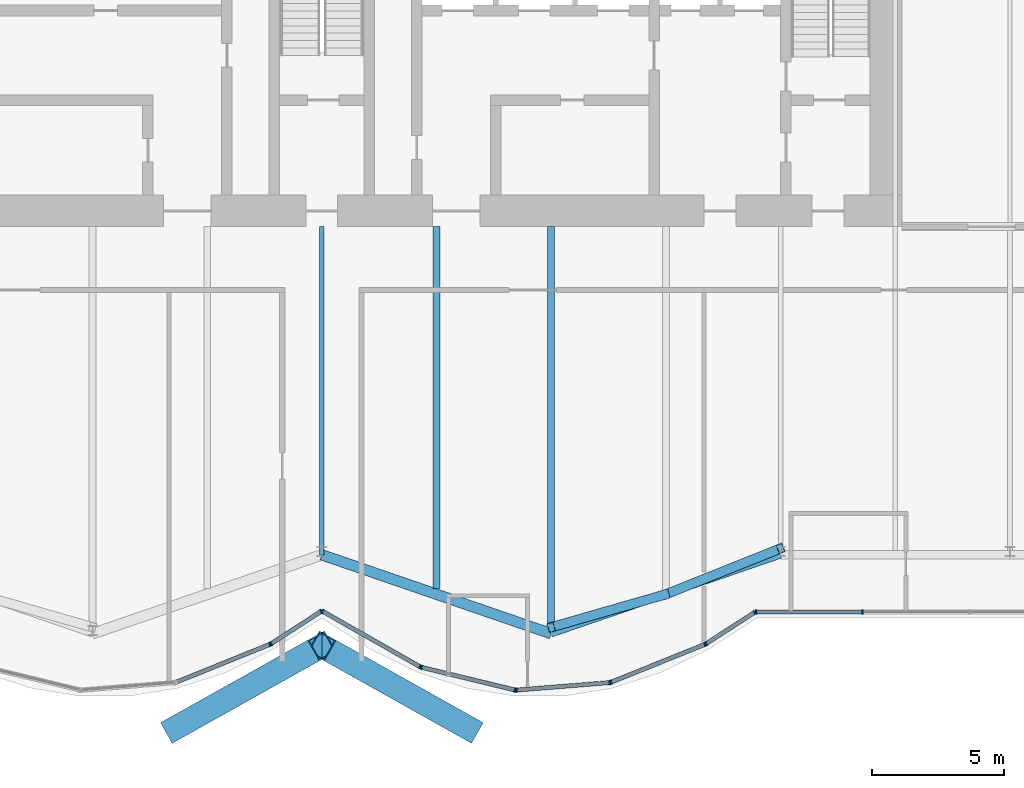
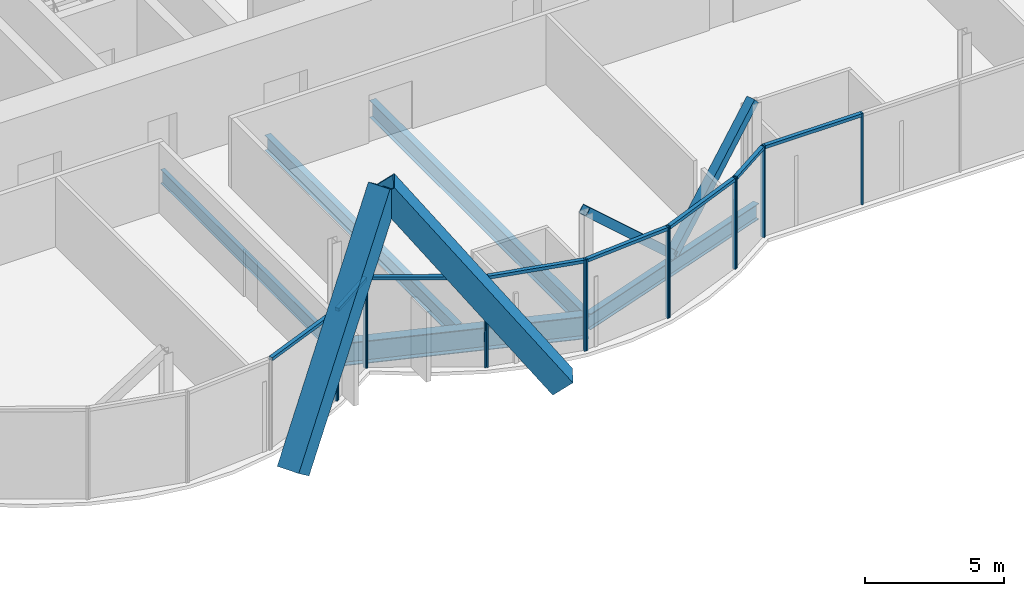
# One storey, part 8 of 19: 27 members, 5 beams, 3 elements without a shape of their own.
"""IFC4 building model written with IfcOpenShell, lengths in metres."""

from ifc_helpers import new_model, si_unit, direction, frame, origin, origin_2d, place, context, subcontext, project, spatial, rectangle, hollow_rectangle, i_section, extrude, material, material_profile, profile_set, type_object, element, aggregate, save


model = new_model("IFC4")

# Units and contexts
model_context = context("Model", 3, precision=1e-05, world=origin(), true_north=direction((0.0, 1.0)))
body_context = subcontext(model_context, "Body", "Model", "MODEL_VIEW")
ifc_project = project(units=[si_unit("LENGTHUNIT", "METRE"), si_unit("AREAUNIT", "SQUARE_METRE"), si_unit("VOLUMEUNIT", "CUBIC_METRE"), si_unit("PLANEANGLEUNIT", "RADIAN"), si_unit("MASSUNIT", "GRAM", prefix="KILO")], contexts=[model_context])

# Site, building, storey
site_placement = place(None, origin())
site = spatial("IfcSite", under=ifc_project, at=site_placement, CompositionType="ELEMENT")
building_placement = place(site_placement, origin())
building = spatial("IfcBuilding", under=site, at=building_placement, Name="Bicima Exchange Tower", CompositionType="ELEMENT")
storey_placement = place(building_placement, frame((0.0, 0.0, 283.39990234375)))
storey = spatial("IfcBuildingStorey", under=building, at=storey_placement, Name="L64", CompositionType="ELEMENT", Elevation=283.39990234375)

# Members
ifc_material_1 = material(Name="Steel ASTM A572 Gr 50", Category="steel")
ifc_material_profile_1 = material_profile(ifc_material_1, hollow_rectangle(XDim=0.89990234375, YDim=0.89990234375, WallThickness=0.050048828125, at=origin_2d()))
ifc_profile_set_1 = profile_set([ifc_material_profile_1], Name="Steel ASTM A572 Gr 50")
member_type_1 = type_object("IfcMemberType", Name="Exo mega brace BOX 900x900x50", PredefinedType="BRACE", material=ifc_profile_set_1)
for number, where, z_axis, x_axis, name in (
    (1, (-5.583251953125, -32.02880859375, 0.10009765625), (0.520822448044, 0.291805414613, 0.802242842047), (-0.48878805664, 0.872402565153, 0.0), "Exo mega brace front"),
    (2, (5.583251953125, -32.02880859375, 0.10009765625), (-0.520822448044, 0.291805414613, 0.802242842047), (-0.48878805664, -0.872402565153, 0.0), "Exo mega brace front"),
):
    element("IfcMember", number, at=place(storey_placement, frame(where, z_axis=z_axis, x_axis=x_axis)), inside=storey, type_object=member_type_1, Name=name, PredefinedType="BRACE", context=body_context, shape_type="SweptSolid", body=[
        extrude(hollow_rectangle(XDim=0.89990234375, YDim=0.89990234375, WallThickness=0.050048828125, at=origin_2d()), origin(), (0.0, 0.0, 1.0), 10.719970703125),
    ])

# Beams
ifc_material_2 = material(Name="Steel ASTM A992 Gr 50", Category="steel")
ifc_material_profile_2 = material_profile(ifc_material_2, i_section(OverallWidth=0.177978515625, OverallDepth=0.599365234375, WebThickness=0.010009765625, FlangeThickness=0.012939453125, at=origin_2d()))
ifc_profile_set_2 = profile_set([ifc_material_profile_2], Name="Steel ASTM A992 Gr 50")
beam_type_1 = type_object("IfcBeamType", Name="Floor beam W24x55", PredefinedType="JOIST", material=ifc_profile_set_2)
beam_1_placement = place(storey_placement, frame((0.0, -13.0, -0.44970703125), z_axis=(0.0, -1.0, 0.0), x_axis=(1.0, 0.0, 0.0)))
element("IfcBeam", 3, at=beam_1_placement, inside=storey, type_object=beam_type_1, Name="Floor beam", PredefinedType="JOIST", context=body_context, shape_type="SweptSolid", body=[
    extrude(i_section(OverallWidth=0.177978515625, OverallDepth=0.599365234375, WebThickness=0.010009765625, FlangeThickness=0.012939453125, at=origin_2d()), origin(), (0.0, 0.0, 1.0), 12.447998046875),
])
ifc_material_profile_3 = material_profile(ifc_material_2, i_section(OverallWidth=0.25390625, OverallDepth=0.67822265625, WebThickness=0.01171875, FlangeThickness=0.016357421875, at=origin_2d()))
ifc_profile_set_3 = profile_set([ifc_material_profile_3], Name="Steel ASTM A992 Gr 50")
beam_type_2 = type_object("IfcBeamType", Name="Floor beam W27x84", PredefinedType="JOIST", material=ifc_profile_set_3)
beam_2_placement = place(storey_placement, frame((4.35009765625, -13.0, -0.489013671875), z_axis=(0.0, -1.0, 0.0), x_axis=(1.0, 0.0, 0.0)))
element("IfcBeam", 4, at=beam_2_placement, inside=storey, type_object=beam_type_2, Name="Floor beam", PredefinedType="JOIST", context=body_context, shape_type="SweptSolid", body=[
    extrude(i_section(OverallWidth=0.25390625, OverallDepth=0.67822265625, WebThickness=0.01171875, FlangeThickness=0.016357421875, at=origin_2d()), origin(), (0.0, 0.0, 1.0), 13.731201171875),
])
ifc_material_profile_4 = material_profile(ifc_material_2, i_section(OverallWidth=0.2666015625, OverallDepth=0.75439453125, WebThickness=0.01318359375, FlangeThickness=0.01708984375, at=origin_2d()))
ifc_profile_set_4 = profile_set([ifc_material_profile_4], Name="Steel ASTM A992 Gr 50")
beam_type_3 = type_object("IfcBeamType", Name="Floor beam W30x99", PredefinedType="JOIST", material=ifc_profile_set_4)
beam_3_placement = place(storey_placement, frame((8.699951171875, -13.0, -0.527099609375), z_axis=(0.0, -1.0, 0.0), x_axis=(1.0, 0.0, 0.0)))
element("IfcBeam", 5, at=beam_3_placement, inside=storey, type_object=beam_type_3, Name="Floor beam", PredefinedType="JOIST", context=body_context, shape_type="SweptSolid", body=[
    extrude(i_section(OverallWidth=0.2666015625, OverallDepth=0.75439453125, WebThickness=0.01318359375, FlangeThickness=0.01708984375, at=origin_2d()), origin(), (0.0, 0.0, 1.0), 15.226806640625),
])
ifc_material_profile_5 = material_profile(ifc_material_2, i_section(OverallWidth=0.256591796875, OverallDepth=0.693359375, WebThickness=0.014404296875, FlangeThickness=0.023681640625, at=origin_2d()))
ifc_profile_set_5 = profile_set([ifc_material_profile_5], Name="Steel ASTM A992 Gr 50")
beam_type_4 = type_object("IfcBeamType", Name="Front girder W27x114", PredefinedType="BEAM", material=ifc_profile_set_5)
beam_4_placement = place(storey_placement, frame((8.699951171875, -28.439208984375, -0.49658203125), z_axis=(0.945666456746, 0.325138359143, 0.0), x_axis=(-0.325138359143, 0.945666456746, 0.0)))
element("IfcBeam", 6, at=beam_4_placement, inside=storey, type_object=beam_type_4, Name="Front girder", PredefinedType="BEAM", context=body_context, shape_type="SweptSolid", body=[
    extrude(i_section(OverallWidth=0.256591796875, OverallDepth=0.693359375, WebThickness=0.014404296875, FlangeThickness=0.023681640625, at=origin_2d()), origin(), (0.0, 0.0, 1.0), 9.19970703125),
])
ifc_material_profile_6 = material_profile(ifc_material_2, i_section(OverallWidth=0.4013671875, OverallDepth=0.990478515625, WebThickness=0.0166015625, FlangeThickness=0.031005859375, at=origin_2d()))
ifc_profile_set_6 = profile_set([ifc_material_profile_6], Name="Steel ASTM A992 Gr 50")
beam_type_5 = type_object("IfcBeamType", Name="Front girder W40x215", PredefinedType="BEAM", material=ifc_profile_set_6)
beam_5_placement = place(storey_placement, frame((0.0, -25.447998046875, -0.645263671875), z_axis=(0.945666456746, -0.325138359143, 0.0), x_axis=(0.325138359143, 0.945666456746, 0.0)))
element("IfcBeam", 7, at=beam_5_placement, inside=storey, type_object=beam_type_5, Name="Front girder", PredefinedType="BEAM", context=body_context, shape_type="SweptSolid", body=[
    extrude(i_section(OverallWidth=0.4013671875, OverallDepth=0.990478515625, WebThickness=0.0166015625, FlangeThickness=0.031005859375, at=origin_2d()), origin(), (0.0, 0.0, 1.0), 9.19970703125),
])

# Curtain wall, members
ifc_material_3 = material(Name="Anodised bronze aluminium", Category="aluminium")
curtain_wall_type = type_object("IfcCurtainWallType", Name="Front glass wall", PredefinedType="NOTDEFINED", material=ifc_material_3)
curtain_wall_1_placement = place(storey_placement, origin())
curtain_wall_1 = element("IfcCurtainWall", 8, at=curtain_wall_1_placement, inside=storey, type_object=curtain_wall_type, Name="Front glass wall L64 run 6", PredefinedType="NOTDEFINED")
ifc_material_profile_7 = material_profile(ifc_material_3, rectangle(XDim=0.159912109375, YDim=0.06005859375, at=origin_2d()))
ifc_profile_set_7 = profile_set([ifc_material_profile_7], Name="Anodised bronze aluminium")
member_type_2 = type_object("IfcMemberType", Name="Front glass wall mullion 60 x 160", PredefinedType="MULLION", material=ifc_profile_set_7)
member_1_placement = place(storey_placement, frame((-1.97412109375, -28.843505859375, 0.0), z_axis=(0.0, 0.0, 1.0), x_axis=(-0.374705304, 0.92714396679, 0.0)))
member_1 = element("IfcMember", 9, at=member_1_placement, type_object=member_type_2, Name="Front glass wall mullion 2", PredefinedType="MULLION", context=body_context, shape_type="SweptSolid", body=[
    extrude(rectangle(XDim=0.159912109375, YDim=0.06005859375, at=origin_2d()), origin(), (0.0, 0.0, 1.0), 4.0),
])
member_2_placement = place(storey_placement, frame((-1.921142578125, -28.816162109375, 0.0), z_axis=(0.0, 0.0, 1.0), x_axis=(-0.542897457326, 0.839798994301, 0.0)))
member_2 = element("IfcMember", 10, at=member_2_placement, type_object=member_type_2, Name="Front glass wall mullion 1", PredefinedType="MULLION", context=body_context, shape_type="SweptSolid", body=[
    extrude(rectangle(XDim=0.159912109375, YDim=0.06005859375, at=origin_2d()), origin(), (0.0, 0.0, 1.0), 4.0),
])
member_3_placement = place(storey_placement, frame((-0.025146484375, -27.59033203125, 0.0), z_axis=(0.0, 0.0, 1.0), x_axis=(-0.542897457326, 0.839798994301, 0.0)))
member_3 = element("IfcMember", 11, at=member_3_placement, type_object=member_type_2, Name="Front glass wall mullion 2", PredefinedType="MULLION", context=body_context, shape_type="SweptSolid", body=[
    extrude(rectangle(XDim=0.159912109375, YDim=0.06005859375, at=origin_2d()), origin(), (0.0, 0.0, 1.0), 4.0),
])

curtain_wall_2_placement = place(storey_placement, origin())
curtain_wall_2 = element("IfcCurtainWall", 12, at=curtain_wall_2_placement, inside=storey, type_object=curtain_wall_type, Name="Front glass wall L64 run 11", PredefinedType="NOTDEFINED")
member_4_placement = place(storey_placement, frame((0.026123046875, -27.589111328125, 0.0), z_axis=(0.0, 0.0, 1.0), x_axis=(0.494330311331, 0.869274147378, 0.0)))
member_4 = element("IfcMember", 13, at=member_4_placement, type_object=member_type_2, Name="Front glass wall mullion 1", PredefinedType="MULLION", context=body_context, shape_type="SweptSolid", body=[
    extrude(rectangle(XDim=0.159912109375, YDim=0.06005859375, at=origin_2d()), origin(), (0.0, 0.0, 1.0), 4.0),
])
member_5_placement = place(storey_placement, frame((3.7265625, -29.693359375, 0.0), z_axis=(0.0, 0.0, 1.0), x_axis=(0.494330311331, 0.869274147378, 0.0)))
member_5 = element("IfcMember", 14, at=member_5_placement, type_object=member_type_2, Name="Front glass wall mullion 2", PredefinedType="MULLION", context=body_context, shape_type="SweptSolid", body=[
    extrude(rectangle(XDim=0.159912109375, YDim=0.06005859375, at=origin_2d()), origin(), (0.0, 0.0, 1.0), 4.0),
])
member_6_placement = place(storey_placement, frame((3.781982421875, -29.71533203125, 0.0), z_axis=(0.0, 0.0, 1.0), x_axis=(0.235681529503, 0.971830343553, 0.0)))
member_6 = element("IfcMember", 15, at=member_6_placement, type_object=member_type_2, Name="Front glass wall mullion 1", PredefinedType="MULLION", context=body_context, shape_type="SweptSolid", body=[
    extrude(rectangle(XDim=0.159912109375, YDim=0.06005859375, at=origin_2d()), origin(), (0.0, 0.0, 1.0), 4.0),
])
member_7_placement = place(storey_placement, frame((7.322509765625, -30.573974609375, 0.0), z_axis=(0.0, 0.0, 1.0), x_axis=(0.235681529503, 0.971830343553, 0.0)))
member_7 = element("IfcMember", 16, at=member_7_placement, type_object=member_type_2, Name="Front glass wall mullion 2", PredefinedType="MULLION", context=body_context, shape_type="SweptSolid", body=[
    extrude(rectangle(XDim=0.159912109375, YDim=0.06005859375, at=origin_2d()), origin(), (0.0, 0.0, 1.0), 4.0),
])
member_8_placement = place(storey_placement, frame((7.381591796875, -30.57861328125, 0.0), z_axis=(0.0, 0.0, 1.0), x_axis=(-0.080588612633, 0.99674744821, 0.0)))
member_8 = element("IfcMember", 17, at=member_8_placement, type_object=member_type_2, Name="Front glass wall mullion 1", PredefinedType="MULLION", context=body_context, shape_type="SweptSolid", body=[
    extrude(rectangle(XDim=0.159912109375, YDim=0.06005859375, at=origin_2d()), origin(), (0.0, 0.0, 1.0), 4.0),
])
member_9_placement = place(storey_placement, frame((10.916015625, -30.292724609375, 0.0), z_axis=(0.0, 0.0, 1.0), x_axis=(-0.080588612633, 0.99674744821, 0.0)))
member_9 = element("IfcMember", 18, at=member_9_placement, type_object=member_type_2, Name="Front glass wall mullion 2", PredefinedType="MULLION", context=body_context, shape_type="SweptSolid", body=[
    extrude(rectangle(XDim=0.159912109375, YDim=0.06005859375, at=origin_2d()), origin(), (0.0, 0.0, 1.0), 4.0),
])
member_10_placement = place(storey_placement, frame((10.973876953125, -30.279296875, 0.0), z_axis=(0.0, 0.0, 1.0), x_axis=(-0.374705304, 0.92714396679, 0.0)))
member_10 = element("IfcMember", 19, at=member_10_placement, type_object=member_type_2, Name="Front glass wall mullion 1", PredefinedType="MULLION", context=body_context, shape_type="SweptSolid", body=[
    extrude(rectangle(XDim=0.159912109375, YDim=0.06005859375, at=origin_2d()), origin(), (0.0, 0.0, 1.0), 4.0),
])
member_11_placement = place(storey_placement, frame((14.52587890625, -28.843505859375, 0.0), z_axis=(0.0, 0.0, 1.0), x_axis=(-0.374705304, 0.92714396679, 0.0)))
member_11 = element("IfcMember", 20, at=member_11_placement, type_object=member_type_2, Name="Front glass wall mullion 2", PredefinedType="MULLION", context=body_context, shape_type="SweptSolid", body=[
    extrude(rectangle(XDim=0.159912109375, YDim=0.06005859375, at=origin_2d()), origin(), (0.0, 0.0, 1.0), 4.0),
])
member_12_placement = place(storey_placement, frame((14.578857421875, -28.816162109375, 0.0), z_axis=(0.0, 0.0, 1.0), x_axis=(-0.542909183079, 0.839791413941, 0.0)))
member_12 = element("IfcMember", 21, at=member_12_placement, type_object=member_type_2, Name="Front glass wall mullion 1", PredefinedType="MULLION", context=body_context, shape_type="SweptSolid", body=[
    extrude(rectangle(XDim=0.159912109375, YDim=0.06005859375, at=origin_2d()), origin(), (0.0, 0.0, 1.0), 4.0),
])
member_13_placement = place(storey_placement, frame((16.406982421875, -27.63427734375, 0.0), z_axis=(0.0, 0.0, 1.0), x_axis=(-0.542909183079, 0.839791413941, 0.0)))
member_13 = element("IfcMember", 22, at=member_13_placement, type_object=member_type_2, Name="Front glass wall mullion 2", PredefinedType="MULLION", context=body_context, shape_type="SweptSolid", body=[
    extrude(rectangle(XDim=0.159912109375, YDim=0.06005859375, at=origin_2d()), origin(), (0.0, 0.0, 1.0), 4.0),
])

curtain_wall_3_placement = place(storey_placement, origin())
curtain_wall_3 = element("IfcCurtainWall", 23, at=curtain_wall_3_placement, inside=storey, type_object=curtain_wall_type, Name="Front glass wall L64 run 16", PredefinedType="NOTDEFINED")
member_14_placement = place(storey_placement, frame((16.462158203125, -27.617919921875, 0.0), z_axis=(0.0, 0.0, 1.0), x_axis=(0.0, 1.0, 0.0)))
member_14 = element("IfcMember", 24, at=member_14_placement, type_object=member_type_2, Name="Front glass wall mullion 1", PredefinedType="MULLION", context=body_context, shape_type="SweptSolid", body=[
    extrude(rectangle(XDim=0.159912109375, YDim=0.06005859375, at=origin_2d()), origin(), (0.0, 0.0, 1.0), 4.0),
])
member_15_placement = place(storey_placement, frame((20.51171875, -27.617919921875, 0.0), z_axis=(0.0, 0.0, 1.0), x_axis=(0.0, 1.0, 0.0)))
member_15 = element("IfcMember", 25, at=member_15_placement, type_object=member_type_2, Name="Front glass wall mullion 2", PredefinedType="MULLION", context=body_context, shape_type="SweptSolid", body=[
    extrude(rectangle(XDim=0.159912109375, YDim=0.06005859375, at=origin_2d()), origin(), (0.0, 0.0, 1.0), 4.0),
])

# Member
ifc_material_profile_8 = material_profile(ifc_material_3, rectangle(XDim=0.159912109375, YDim=0.139892578125, at=origin_2d()))
ifc_profile_set_8 = profile_set([ifc_material_profile_8], Name="Anodised bronze aluminium")
member_type_3 = type_object("IfcMemberType", Name="Front glass wall transom 140 x 160", PredefinedType="USERDEFINED", material=ifc_profile_set_8)
member_16_placement = place(storey_placement, frame((-5.498291015625, -30.267822265625, 3.93017578125), z_axis=(0.927140215882, 0.374714584842, 0.0), x_axis=(-0.374714584842, 0.927140215882, 0.0)))
member_16 = element("IfcMember", 26, at=member_16_placement, type_object=member_type_3, Name="Front glass wall transom 1.1", ObjectType="TRANSOM", PredefinedType="USERDEFINED", context=body_context, shape_type="SweptSolid", body=[
    extrude(rectangle(XDim=0.159912109375, YDim=0.139892578125, at=origin_2d()), origin(), (0.0, 0.0, 1.0), 3.77099609375),
])

member_17_placement = place(storey_placement, frame((-1.89599609375, -28.7998046875, 3.93017578125), z_axis=(0.839811483481, 0.542878137536, 0.0), x_axis=(-0.542878137536, 0.839811483481, 0.0)))
member_17 = element("IfcMember", 27, at=member_17_placement, type_object=member_type_3, Name="Front glass wall transom 1.1", ObjectType="TRANSOM", PredefinedType="USERDEFINED", context=body_context, shape_type="SweptSolid", body=[
    extrude(rectangle(XDim=0.159912109375, YDim=0.139892578125, at=origin_2d()), origin(), (0.0, 0.0, 1.0), 2.19775390625),
])

aggregate(curtain_wall_1, [member_1, member_16, member_2, member_3, member_17])

member_18_placement = place(storey_placement, frame((0.05224609375, -27.603759765625, 3.93017578125), z_axis=(0.869265121745, -0.494346182466, 0.0), x_axis=(0.494346182466, 0.869265121745, 0.0)))
member_18 = element("IfcMember", 28, at=member_18_placement, type_object=member_type_3, Name="Front glass wall transom 1.1", ObjectType="TRANSOM", PredefinedType="USERDEFINED", context=body_context, shape_type="SweptSolid", body=[
    extrude(rectangle(XDim=0.159912109375, YDim=0.139892578125, at=origin_2d()), origin(), (0.0, 0.0, 1.0), 4.19677734375),
])

member_19_placement = place(storey_placement, frame((3.81103515625, -29.722412109375, 3.93017578125), z_axis=(0.971833557815, -0.235668275132, 0.0), x_axis=(0.235668275132, 0.971833557815, 0.0)))
member_19 = element("IfcMember", 29, at=member_19_placement, type_object=member_type_3, Name="Front glass wall transom 1.1", ObjectType="TRANSOM", PredefinedType="USERDEFINED", context=body_context, shape_type="SweptSolid", body=[
    extrude(rectangle(XDim=0.159912109375, YDim=0.139892578125, at=origin_2d()), origin(), (0.0, 0.0, 1.0), 3.583251953125),
])

member_20_placement = place(storey_placement, frame((7.41162109375, -30.576171875, 3.93017578125), z_axis=(0.9967456465, 0.080610893699, 0.0), x_axis=(-0.080610893699, 0.9967456465, 0.0)))
member_20 = element("IfcMember", 30, at=member_20_placement, type_object=member_type_3, Name="Front glass wall transom 1.1", ObjectType="TRANSOM", PredefinedType="USERDEFINED", context=body_context, shape_type="SweptSolid", body=[
    extrude(rectangle(XDim=0.159912109375, YDim=0.139892578125, at=origin_2d()), origin(), (0.0, 0.0, 1.0), 3.48583984375),
])

member_21_placement = place(storey_placement, frame((11.001708984375, -30.267822265625, 3.93017578125), z_axis=(0.927140215882, 0.374714584842, 0.0), x_axis=(-0.374714584842, 0.927140215882, 0.0)))
member_21 = element("IfcMember", 31, at=member_21_placement, type_object=member_type_3, Name="Front glass wall transom 1.1", ObjectType="TRANSOM", PredefinedType="USERDEFINED", context=body_context, shape_type="SweptSolid", body=[
    extrude(rectangle(XDim=0.159912109375, YDim=0.139892578125, at=origin_2d()), origin(), (0.0, 0.0, 1.0), 3.77099609375),
])

member_22_placement = place(storey_placement, frame((14.60400390625, -28.7998046875, 3.93017578125), z_axis=(0.839792890287, 0.542906899407, 0.0), x_axis=(-0.542906899407, 0.839792890287, 0.0)))
member_22 = element("IfcMember", 32, at=member_22_placement, type_object=member_type_3, Name="Front glass wall transom 1.1", ObjectType="TRANSOM", PredefinedType="USERDEFINED", context=body_context, shape_type="SweptSolid", body=[
    extrude(rectangle(XDim=0.159912109375, YDim=0.139892578125, at=origin_2d()), origin(), (0.0, 0.0, 1.0), 2.11669921875),
])

aggregate(curtain_wall_2, [member_4, member_5, member_18, member_6, member_7, member_19, member_8, member_9, member_20, member_10, member_11, member_21, member_12, member_13, member_22])

member_23_placement = place(storey_placement, frame((16.4921875, -27.617919921875, 3.93017578125), z_axis=(1.0, 0.0, 0.0), x_axis=(0.0, 1.0, 0.0)))
member_23 = element("IfcMember", 33, at=member_23_placement, type_object=member_type_3, Name="Front glass wall transom 1.1", ObjectType="TRANSOM", PredefinedType="USERDEFINED", context=body_context, shape_type="SweptSolid", body=[
    extrude(rectangle(XDim=0.159912109375, YDim=0.139892578125, at=origin_2d()), origin(), (0.0, 0.0, 1.0), 3.989501953125),
])

aggregate(curtain_wall_3, [member_14, member_15, member_23])

# Members
ifc_material_profile_9 = material_profile(ifc_material_1, hollow_rectangle(XDim=0.355712890625, YDim=0.355712890625, WallThickness=0.0146484375, at=origin_2d()))
ifc_profile_set_9 = profile_set([ifc_material_profile_9], Name="Steel ASTM A572 Gr 50")
member_type_4 = type_object("IfcMemberType", Name="Mega brace HSS14x14x5/8", PredefinedType="BRACE", material=ifc_profile_set_9)
member_24_placement = place(storey_placement, frame((13.050048828125, -26.943603515625, 0.0), z_axis=(0.691335453002, 0.276464337579, 0.667549819467), x_axis=(-0.371309808925, 0.928509033772, 0.0)))
element("IfcMember", 34, at=member_24_placement, inside=storey, type_object=member_type_4, Name="Mega brace front", PredefinedType="BRACE", context=body_context, shape_type="SweptSolid", body=[
    extrude(hollow_rectangle(XDim=0.355712890625, YDim=0.355712890625, WallThickness=0.0146484375, at=origin_2d()), origin(), (0.0, 0.0, 1.0), 6.2919921875),
])
member_25_placement = place(storey_placement, frame((13.050048828125, -26.943603515625, 0.0), z_axis=(-0.704464364483, -0.202664964212, 0.680188849846), x_axis=(0.276473064615, -0.961021667052, 0.0)))
element("IfcMember", 35, at=member_25_placement, inside=storey, type_object=member_type_4, Name="Mega brace front", PredefinedType="BRACE", context=body_context, shape_type="SweptSolid", body=[
    extrude(hollow_rectangle(XDim=0.355712890625, YDim=0.355712890625, WallThickness=0.0146484375, at=origin_2d()), origin(), (0.0, 0.0, 1.0), 6.175048828125),
])

save(model, "model.ifc")
